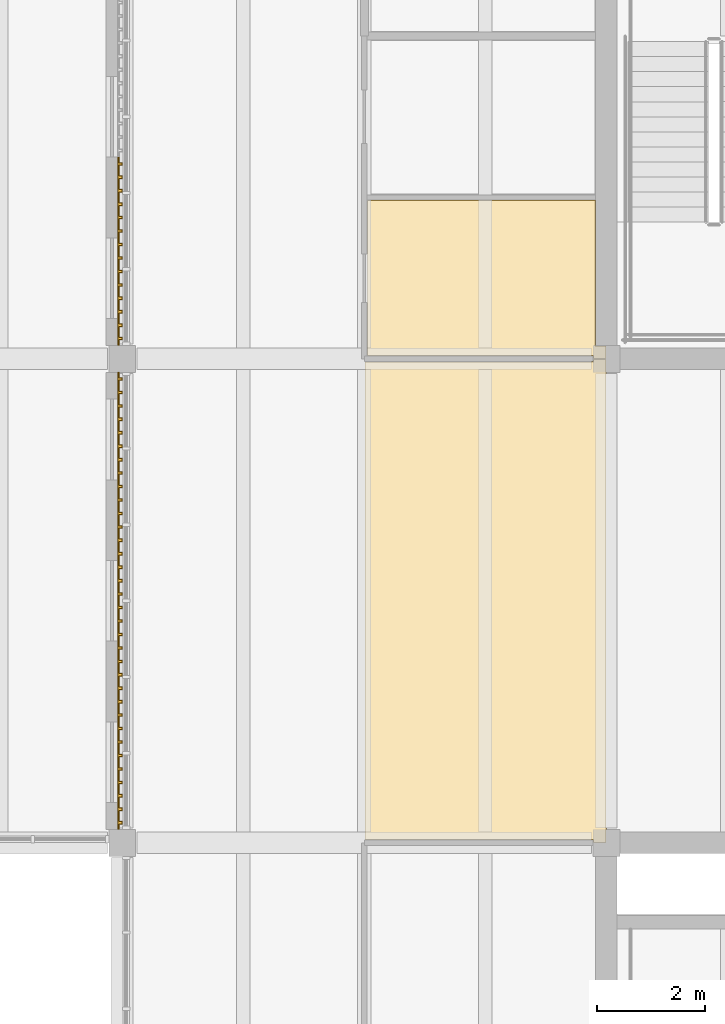
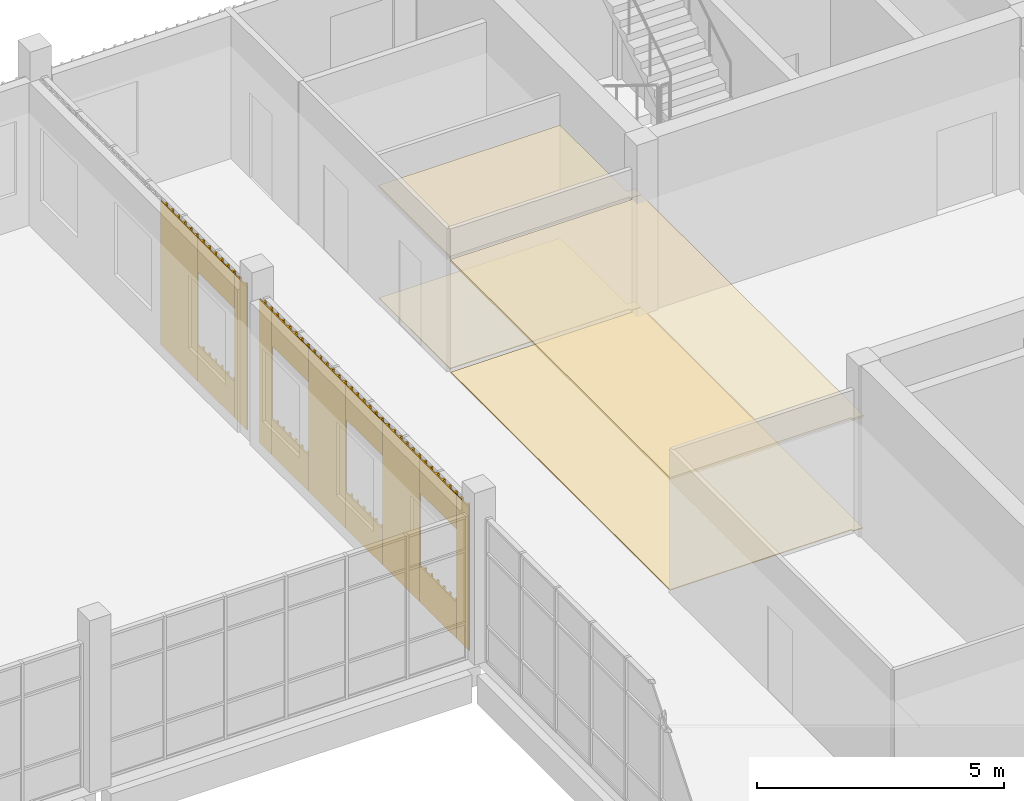
# One storey, part 83 of 92: 18 coverings.
"""IFC4 building model written with IfcOpenShell, lengths in metres."""

import ifcopenshell
import ifcopenshell.guid

model = None  # the IFC model being written
_history = None  # IfcOwnerHistory: only IFC2X3 demands one
_inside = {}  # id of a spatial element -> (the spatial element, [elements in it])
_under = {}  # id of a project, library or spatial element -> (it, [spatial elements below it])
_declared = {}  # id of a project -> (the project, [libraries it declares])
_typed = {}  # id of a type object -> (the type object, [elements of that type])
_made_of = {}  # id of a material, layer set ... -> (it, [elements and type objects made of it])


def new_model(schema):
    """Start an empty IFC model of exactly this schema.

    Asked for "IFC4X3", IfcOpenShell would pick the latest addendum, in which some entities
    have other attributes; the version numbers below select the first issue.
    IFC2X3 requires an IfcOwnerHistory on every rooted entity: one is made here for all.
    """
    global model, _history
    if schema == "IFC4X3":
        model = ifcopenshell.file(schema_version=(4, 3, 0, 0))
    else:
        model = ifcopenshell.file(schema=schema)
    _inside.clear()
    _under.clear()
    _declared.clear()
    _typed.clear()
    _made_of.clear()
    _history = None
    if model.schema == "IFC2X3":
        org = make("IfcOrganization", Name="unknown")
        user = make(
            "IfcPersonAndOrganization",
            ThePerson=make("IfcPerson", FamilyName="unknown"),
            TheOrganization=org,
        )
        app = make(
            "IfcApplication",
            ApplicationDeveloper=org,
            Version="unknown",
            ApplicationFullName="unknown",
            ApplicationIdentifier="unknown",
        )
        _history = make(
            "IfcOwnerHistory",
            OwningUser=user,
            OwningApplication=app,
            ChangeAction="ADDED",
            CreationDate=0,
        )
    return model


def make(cls, **values):
    """One entity of the class cls with the attributes given. An attribute that is None is left unset."""
    return model.create_entity(
        cls, **{name: value for name, value in values.items() if value is not None}
    )


def rooted(cls, **values):
    """An entity with a GlobalId (a new one), such as an element, a storey or a relation."""
    return make(cls, GlobalId=ifcopenshell.guid.new(), OwnerHistory=_history, **values)


def si_unit(unit_type, name, prefix=None):
    """IfcSIUnit, for example si_unit("LENGTHUNIT", "METRE", prefix="MILLI")."""
    return make("IfcSIUnit", UnitType=unit_type, Prefix=prefix, Name=name)


def assignment(units):
    """IfcUnitAssignment: the units of a project."""
    return None if units is None else make("IfcUnitAssignment", Units=units)


def point(xyz):
    """IfcCartesianPoint."""
    return None if xyz is None else make("IfcCartesianPoint", Coordinates=xyz)


def direction(xyz):
    """IfcDirection."""
    return None if xyz is None else make("IfcDirection", DirectionRatios=xyz)


def frame(location, z_axis=None, x_axis=None):
    """IfcAxis2Placement3D, a coordinate frame: its origin and axes. An axis left out is left unset."""
    return make(
        "IfcAxis2Placement3D",
        Location=point(location),
        Axis=direction(z_axis),
        RefDirection=direction(x_axis),
    )


def origin():
    """The frame at (0, 0, 0) with its axes left unset."""
    return frame((0.0, 0.0, 0.0))


def place(relative_to, where):
    """IfcLocalPlacement: puts the frame where relative to a parent placement (None: the world)."""
    return make(
        "IfcLocalPlacement", PlacementRelTo=relative_to, RelativePlacement=where
    )


def context(
    kind, dimensions, precision=None, world=None, true_north=None, identifier=None
):
    """IfcGeometricRepresentationContext, for example the 3D "Model" context."""
    return make(
        "IfcGeometricRepresentationContext",
        ContextIdentifier=identifier,
        ContextType=kind,
        CoordinateSpaceDimension=dimensions,
        Precision=precision,
        WorldCoordinateSystem=world,
        TrueNorth=true_north,
    )


def subcontext(parent, identifier, kind, view, scale=None):
    """IfcGeometricRepresentationSubContext, for example "Body" below "Model"."""
    return make(
        "IfcGeometricRepresentationSubContext",
        ContextIdentifier=identifier,
        ContextType=kind,
        ParentContext=parent,
        TargetScale=scale,
        TargetView=view,
    )


def project(units=None, contexts=None):
    """IfcProject with its units and contexts."""
    return rooted(
        "IfcProject",
        Name="project",
        RepresentationContexts=contexts,
        UnitsInContext=assignment(units),
    )


def spatial(cls, under=None, at=None, **own):
    """A site, building, storey or space (cls), placed at a placement, below another one or the project."""
    s = rooted(cls, ObjectPlacement=at, **own)
    if under is not None:
        _under.setdefault(under.id(), (under, []))[1].append(s)
    return s


def polyline(points):
    """IfcPolyline through the points."""
    return make("IfcPolyline", Points=[point(p) for p in points])


def outline(outer, holes=None, kind="AREA"):
    """IfcArbitraryClosedProfileDef: a profile drawn as a closed curve; with holes, ...WithVoids."""
    if holes is None:
        return make("IfcArbitraryClosedProfileDef", ProfileType=kind, OuterCurve=outer)
    return make(
        "IfcArbitraryProfileDefWithVoids",
        ProfileType=kind,
        OuterCurve=outer,
        InnerCurves=holes,
    )


def extrude(swept, where, along, depth):
    """IfcExtrudedAreaSolid: the profile swept, set in the frame where, extruded along a direction by depth."""
    return make(
        "IfcExtrudedAreaSolid",
        SweptArea=swept,
        Position=where,
        ExtrudedDirection=direction(along),
        Depth=depth,
    )


def shape(context_of_items, identifier, shape_type, items):
    """IfcShapeRepresentation: the items that make up one representation, for example the "Body"."""
    return make(
        "IfcShapeRepresentation",
        ContextOfItems=context_of_items,
        RepresentationIdentifier=identifier,
        RepresentationType=shape_type,
        Items=items,
    )


def source(mapping_origin, context_of_items, identifier, shape_type, items):
    """IfcRepresentationMap: a shape defined once, which mapped items show again and again."""
    return make(
        "IfcRepresentationMap",
        MappingOrigin=mapping_origin,
        MappedRepresentation=shape(context_of_items, identifier, shape_type, items),
    )


def transform(
    local_origin,
    x_axis=None,
    y_axis=None,
    z_axis=None,
    scale=None,
    scale2=None,
    scale3=None,
    uniform=True,
):
    """IfcCartesianTransformationOperator3D, or its non-uniform kind. x_axis, y_axis, z_axis: its Axis1, 2, 3."""
    if uniform:
        return make(
            "IfcCartesianTransformationOperator3D",
            Axis1=direction(x_axis),
            Axis2=direction(y_axis),
            LocalOrigin=point(local_origin),
            Scale=scale,
            Axis3=direction(z_axis),
        )
    return make(
        "IfcCartesianTransformationOperator3DnonUniform",
        Axis1=direction(x_axis),
        Axis2=direction(y_axis),
        LocalOrigin=point(local_origin),
        Scale=scale,
        Axis3=direction(z_axis),
        Scale2=scale2,
        Scale3=scale3,
    )


def mapped(mapping_source, mapping_target):
    """IfcMappedItem: shows the shape of a source again, moved by a transform."""
    return make(
        "IfcMappedItem", MappingSource=mapping_source, MappingTarget=mapping_target
    )


def material(Name=None, Category=None):
    """IfcMaterial."""
    return make("IfcMaterial", Name=Name, Category=Category)


def layer(
    of_material, thickness, ventilated=None, Name=None, Category=None, Priority=None
):
    """IfcMaterialLayer: one layer of a wall or slab, of a material (None: an air gap)."""
    return make(
        "IfcMaterialLayer",
        Material=of_material,
        LayerThickness=thickness,
        IsVentilated=ventilated,
        Name=Name,
        Category=Category,
        Priority=Priority,
    )


def layer_set(layers, Name=None):
    """IfcMaterialLayerSet."""
    return make("IfcMaterialLayerSet", MaterialLayers=layers, LayerSetName=Name)


def made_of(thing, what):
    """Note that an element or type object is made of a material, layer set ...; save() writes the relation."""
    if what is not None:
        _made_of.setdefault(what.id(), (what, []))[1].append(thing)
    return thing


def type_object(cls, material=None, **own):
    """A type object (cls), such as IfcWallType, which elements share."""
    return made_of(rooted(cls, **own), material)


def element(
    cls,
    number,
    at=None,
    inside=None,
    cuts=None,
    type_object=None,
    material=None,
    context=None,
    identifier="Body",
    shape_type=None,
    held_by="IfcProductDefinitionShape",
    body=None,
    shapes=None,
    **own,
):
    """One element of the class cls, such as IfcWall. Its Tag is "e" and its number.

    at: its placement. inside: the storey or other place that contains it. cuts: it is an
    opening in that element (IfcRelVoidsElement). A single representation is given by context,
    identifier, shape_type and body (its items); several are given by shapes. held_by: the class
    of the entity that holds the representations. save() writes the other relations.
    """
    e = rooted(cls, Tag="e%d" % number, ObjectPlacement=at, **own)
    if body is not None:
        shapes = [shape(context, identifier, shape_type, body)]
    if shapes is not None:
        e.Representation = make(held_by, Representations=shapes)
    if inside is not None:
        _inside.setdefault(inside.id(), (inside, []))[1].append(e)
    if cuts is not None:
        rooted(
            "IfcRelVoidsElement", RelatingBuildingElement=cuts, RelatedOpeningElement=e
        )
    if type_object is not None:
        _typed.setdefault(type_object.id(), (type_object, []))[1].append(e)
    return made_of(e, material)


def aggregate(whole, parts):
    """IfcRelAggregates: a whole, such as a stair, and the parts it consists of."""
    return rooted("IfcRelAggregates", RelatingObject=whole, RelatedObjects=parts)


def save(model, path):
    """Write the relations noted so far, then the file.

    IfcRelAggregates (storeys below a building ...), IfcRelContainedInSpatialStructure (elements
    in a storey), IfcRelDefinesByType, IfcRelAssociatesMaterial and IfcRelDeclares: one each for
    every whole, place, type object, material and project.
    """
    for whole, parts in _under.values():
        aggregate(whole, parts)
    for where, things in _inside.values():
        rooted(
            "IfcRelContainedInSpatialStructure",
            RelatedElements=things,
            RelatingStructure=where,
        )
    for kind, things in _typed.values():
        rooted("IfcRelDefinesByType", RelatedObjects=things, RelatingType=kind)
    for what, things in _made_of.values():
        rooted("IfcRelAssociatesMaterial", RelatedObjects=things, RelatingMaterial=what)
    for by, libraries in _declared.values():
        rooted("IfcRelDeclares", RelatingContext=by, RelatedDefinitions=libraries)
    model.write(path)


model = new_model("IFC4")

# Units and contexts
model_context = context("Model", 3, precision=1e-05, world=origin(), true_north=direction((0.0, 1.0)))
body_context = subcontext(model_context, "Body", "Model", "MODEL_VIEW")
ifc_project = project(units=[si_unit("LENGTHUNIT", "METRE"), si_unit("AREAUNIT", "SQUARE_METRE"), si_unit("VOLUMEUNIT", "CUBIC_METRE"), si_unit("PLANEANGLEUNIT", "RADIAN"), si_unit("MASSUNIT", "GRAM", prefix="KILO")], contexts=[model_context])

# Site, building, storey
site_placement = place(None, origin())
site = spatial("IfcSite", under=ifc_project, at=site_placement, CompositionType="ELEMENT")
building_placement = place(site_placement, origin())
building = spatial("IfcBuilding", under=site, at=building_placement, Name="Merrow Basin Faculty of Sciences", CompositionType="ELEMENT")
storey_placement = place(building_placement, frame((0.0, 0.0, 4.5)))
storey = spatial("IfcBuildingStorey", under=building, at=storey_placement, Name="L01", CompositionType="ELEMENT", Elevation=4.5)

# Coverings
ifc_material_1 = material(Name="Carpet tile floor")
ifc_layer_1 = layer(ifc_material_1, 0.02001953125)
ifc_layer_set_1 = layer_set([ifc_layer_1], Name="Carpet tile floor")
covering_type_1 = type_object("IfcCoveringType", Name="Carpet tile floor", PredefinedType="FLOORING", material=ifc_layer_set_1)
covering_1_placement = place(storey_placement, origin())
element("IfcCovering", 1, at=covering_1_placement, inside=storey, type_object=covering_type_1, Name="Floor finish L01-C-021", PredefinedType="FLOORING", context=body_context, shape_type="SweptSolid", body=[
    extrude(outline(polyline([(62.989990234375, 123.989990234375), (62.989990234375, 115.010009765625), (62.760009765625, 115.010009765625), (62.760009765625, 115.06005859375), (58.510009765625, 115.06005859375), (58.510009765625, 123.93994140625), (62.760009765625, 123.93994140625), (62.760009765625, 123.989990234375), (62.989990234375, 123.989990234375)])), origin(), (0.0, 0.0, 1.0), 0.02001953125),
])
ifc_material_2 = material(Name="Ceramic floor tile")
ifc_layer_2 = layer(ifc_material_2, 0.02001953125)
ifc_layer_set_2 = layer_set([ifc_layer_2], Name="Ceramic floor tile")
covering_type_2 = type_object("IfcCoveringType", Name="Ceramic floor tile", PredefinedType="FLOORING", material=ifc_layer_set_2)
covering_2_placement = place(storey_placement, origin())
element("IfcCovering", 2, at=covering_2_placement, inside=storey, type_object=covering_type_2, Name="Floor finish L01-C-031", PredefinedType="FLOORING", context=body_context, shape_type="SweptSolid", body=[
    extrude(outline(polyline([(62.989990234375, 124.010009765625), (62.760009765625, 124.010009765625), (62.760009765625, 124.06005859375), (58.56005859375, 124.06005859375), (58.56005859375, 126.93994140625), (62.7900390625, 126.93994140625), (62.7900390625, 124.239990234375), (62.989990234375, 124.239990234375), (62.989990234375, 124.010009765625)])), origin(), (0.0, 0.0, 1.0), 0.02001953125),
])
ifc_material_3 = material(Name="Mineral fibre ceiling tile")
ifc_layer_3 = layer(ifc_material_3, 0.050048828125)
ifc_layer_set_3 = layer_set([ifc_layer_3], Name="Suspended acoustic ceiling tile")
covering_type_3 = type_object("IfcCoveringType", Name="Suspended acoustic ceiling tile", PredefinedType="CEILING", material=ifc_layer_set_3)
covering_3_placement = place(storey_placement, frame((0.0, 0.0, 2.75)))
element("IfcCovering", 3, at=covering_3_placement, inside=storey, type_object=covering_type_3, Name="Ceiling L01-C-021", PredefinedType="CEILING", context=body_context, shape_type="SweptSolid", body=[
    extrude(outline(polyline([(63.0, 124.0), (63.0, 115.0), (62.75, 115.0), (62.75, 115.050048828125), (58.5, 115.050048828125), (58.5, 123.949951171875), (62.75, 123.949951171875), (62.75, 124.0), (63.0, 124.0)])), origin(), (0.0, 0.0, 1.0), 0.050048828125),
])
covering_4_placement = place(storey_placement, frame((0.0, 0.0, 2.75)))
element("IfcCovering", 4, at=covering_4_placement, inside=storey, type_object=covering_type_3, Name="Ceiling L01-C-031", PredefinedType="CEILING", context=body_context, shape_type="SweptSolid", body=[
    extrude(outline(polyline([(63.0, 124.0), (62.75, 124.0), (62.75, 124.050048828125), (58.550048828125, 124.050048828125), (58.550048828125, 126.949951171875), (62.800048828125, 126.949951171875), (62.800048828125, 124.25), (63.0, 124.25), (63.0, 124.0)])), origin(), (0.0, 0.0, 1.0), 0.050048828125),
])
ifc_material_4 = material(Name="Larch timber", Category="wood")
ifc_layer_4 = layer(ifc_material_4, 0.0849609375)
ifc_layer_set_4 = layer_set([ifc_layer_4], Name="Larch batten cladding 85")
covering_type_4 = type_object("IfcCoveringType", Name="Larch batten cladding 85", PredefinedType="CLADDING", material=ifc_layer_set_4)
shared_shape_1 = source(origin(), body_context, "Body", "SweptSolid", [
    extrude(outline(polyline([(0.0, 0.0), (0.5, 0.0), (0.5, 0.02490234375), (0.39990234375, 0.02490234375), (0.39990234375, 0.0849609375), (0.35009765625, 0.0849609375), (0.35009765625, 0.02490234375), (0.14990234375, 0.02490234375), (0.14990234375, 0.0849609375), (0.10009765625, 0.0849609375), (0.10009765625, 0.02490234375), (0.0, 0.02490234375), (0.0, 0.0)])), origin(), (0.0, 0.0, 1.0), 3.550048828125),
])
for number, where, z_axis, x_axis, name in (
    (5, (53.9150390625, 123.75, 0.0), (0.0, 0.0, 1.0), (0.0, -1.0, 0.0), "Larch batten cladding"),
    (6, (53.9150390625, 115.75, 0.0), (0.0, 0.0, 1.0), (0.0, -1.0, 0.0), "Larch batten cladding"),
    (7, (53.9150390625, 124.75, 0.0), (0.0, 0.0, 1.0), (0.0, -1.0, 0.0), "Larch batten cladding"),
):
    element("IfcCovering", number, at=place(storey_placement, frame(where, z_axis=z_axis, x_axis=x_axis)), inside=storey, type_object=covering_type_4, Name=name, PredefinedType="CLADDING", context=body_context, shape_type="MappedRepresentation", body=[
        mapped(shared_shape_1, transform((0.0, 0.0, 0.0), scale=1.0)),
    ])
shared_shape_2 = source(origin(), body_context, "Body", "SweptSolid", [
    extrude(outline(polyline([(0.0, 0.0), (1.5, 0.0), (1.5, 0.02490234375), (1.39990234375, 0.02490234375), (1.39990234375, 0.0849609375), (1.35009765625, 0.0849609375), (1.35009765625, 0.02490234375), (1.14990234375, 0.02490234375), (1.14990234375, 0.0849609375), (1.10009765625, 0.0849609375), (1.10009765625, 0.02490234375), (0.89990234375, 0.02490234375), (0.89990234375, 0.0849609375), (0.85009765625, 0.0849609375), (0.85009765625, 0.02490234375), (0.64990234375, 0.02490234375), (0.64990234375, 0.0849609375), (0.60009765625, 0.0849609375), (0.60009765625, 0.02490234375), (0.39990234375, 0.02490234375), (0.39990234375, 0.0849609375), (0.35009765625, 0.0849609375), (0.35009765625, 0.02490234375), (0.14990234375, 0.02490234375), (0.14990234375, 0.0849609375), (0.10009765625, 0.0849609375), (0.10009765625, 0.02490234375), (0.0, 0.02490234375), (0.0, 0.0)])), origin(), (0.0, 0.0, 1.0), 0.89990234375),
])
for number, where, z_axis, x_axis, name in (
    (8, (53.9150390625, 123.25, 0.0), (0.0, 0.0, 1.0), (0.0, -1.0, 0.0), "Larch batten cladding"),
    (9, (53.9150390625, 120.25, 0.0), (0.0, 0.0, 1.0), (0.0, -1.0, 0.0), "Larch batten cladding"),
    (10, (53.9150390625, 117.25, 0.0), (0.0, 0.0, 1.0), (0.0, -1.0, 0.0), "Larch batten cladding"),
    (11, (53.9150390625, 126.25, 0.0), (0.0, 0.0, 1.0), (0.0, -1.0, 0.0), "Larch batten cladding"),
):
    element("IfcCovering", number, at=place(storey_placement, frame(where, z_axis=z_axis, x_axis=x_axis)), inside=storey, type_object=covering_type_4, Name=name, PredefinedType="CLADDING", context=body_context, shape_type="MappedRepresentation", body=[
        mapped(shared_shape_2, transform((0.0, 0.0, 0.0), scale=1.0)),
    ])
shared_shape_3 = source(origin(), body_context, "Body", "SweptSolid", [
    extrude(outline(polyline([(0.0, 0.0), (1.5, 0.0), (1.5, 0.02490234375), (1.39990234375, 0.02490234375), (1.39990234375, 0.0849609375), (1.35009765625, 0.0849609375), (1.35009765625, 0.02490234375), (1.14990234375, 0.02490234375), (1.14990234375, 0.0849609375), (1.10009765625, 0.0849609375), (1.10009765625, 0.02490234375), (0.89990234375, 0.02490234375), (0.89990234375, 0.0849609375), (0.85009765625, 0.0849609375), (0.85009765625, 0.02490234375), (0.64990234375, 0.02490234375), (0.64990234375, 0.0849609375), (0.60009765625, 0.0849609375), (0.60009765625, 0.02490234375), (0.39990234375, 0.02490234375), (0.39990234375, 0.0849609375), (0.35009765625, 0.0849609375), (0.35009765625, 0.02490234375), (0.14990234375, 0.02490234375), (0.14990234375, 0.0849609375), (0.10009765625, 0.0849609375), (0.10009765625, 0.02490234375), (0.0, 0.02490234375), (0.0, 0.0)])), origin(), (0.0, 0.0, 1.0), 0.85009765625),
])
for number, where, z_axis, x_axis, name in (
    (12, (53.9150390625, 123.25, 2.699951171875), (0.0, 0.0, 1.0), (0.0, -1.0, 0.0), "Larch batten cladding"),
    (13, (53.9150390625, 120.25, 2.699951171875), (0.0, 0.0, 1.0), (0.0, -1.0, 0.0), "Larch batten cladding"),
    (14, (53.9150390625, 117.25, 2.699951171875), (0.0, 0.0, 1.0), (0.0, -1.0, 0.0), "Larch batten cladding"),
    (15, (53.9150390625, 126.25, 2.699951171875), (0.0, 0.0, 1.0), (0.0, -1.0, 0.0), "Larch batten cladding"),
):
    element("IfcCovering", number, at=place(storey_placement, frame(where, z_axis=z_axis, x_axis=x_axis)), inside=storey, type_object=covering_type_4, Name=name, PredefinedType="CLADDING", context=body_context, shape_type="MappedRepresentation", body=[
        mapped(shared_shape_3, transform((0.0, 0.0, 0.0), scale=1.0)),
    ])
shared_shape_4 = source(origin(), body_context, "Body", "SweptSolid", [
    extrude(outline(polyline([(0.0, 0.0), (1.5, 0.0), (1.5, 0.02490234375), (1.39990234375, 0.02490234375), (1.39990234375, 0.0849609375), (1.35009765625, 0.0849609375), (1.35009765625, 0.02490234375), (1.14990234375, 0.02490234375), (1.14990234375, 0.0849609375), (1.10009765625, 0.0849609375), (1.10009765625, 0.02490234375), (0.89990234375, 0.02490234375), (0.89990234375, 0.0849609375), (0.85009765625, 0.0849609375), (0.85009765625, 0.02490234375), (0.64990234375, 0.02490234375), (0.64990234375, 0.0849609375), (0.60009765625, 0.0849609375), (0.60009765625, 0.02490234375), (0.39990234375, 0.02490234375), (0.39990234375, 0.0849609375), (0.35009765625, 0.0849609375), (0.35009765625, 0.02490234375), (0.14990234375, 0.02490234375), (0.14990234375, 0.0849609375), (0.10009765625, 0.0849609375), (0.10009765625, 0.02490234375), (0.0, 0.02490234375), (0.0, 0.0)])), origin(), (0.0, 0.0, 1.0), 3.550048828125),
])
for number, where, z_axis, x_axis, name in (
    (16, (53.9150390625, 121.75, 0.0), (0.0, 0.0, 1.0), (0.0, -1.0, 0.0), "Larch batten cladding"),
    (17, (53.9150390625, 118.75, 0.0), (0.0, 0.0, 1.0), (0.0, -1.0, 0.0), "Larch batten cladding"),
    (18, (53.9150390625, 127.75, 0.0), (0.0, 0.0, 1.0), (0.0, -1.0, 0.0), "Larch batten cladding"),
):
    element("IfcCovering", number, at=place(storey_placement, frame(where, z_axis=z_axis, x_axis=x_axis)), inside=storey, type_object=covering_type_4, Name=name, PredefinedType="CLADDING", context=body_context, shape_type="MappedRepresentation", body=[
        mapped(shared_shape_4, transform((0.0, 0.0, 0.0), scale=1.0)),
    ])

save(model, "model.ifc")
